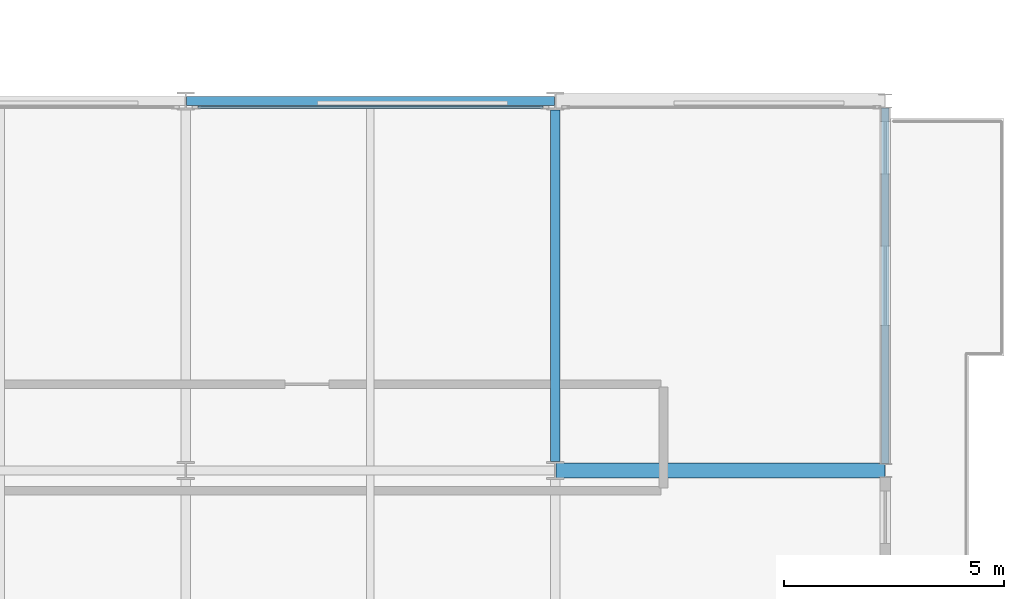
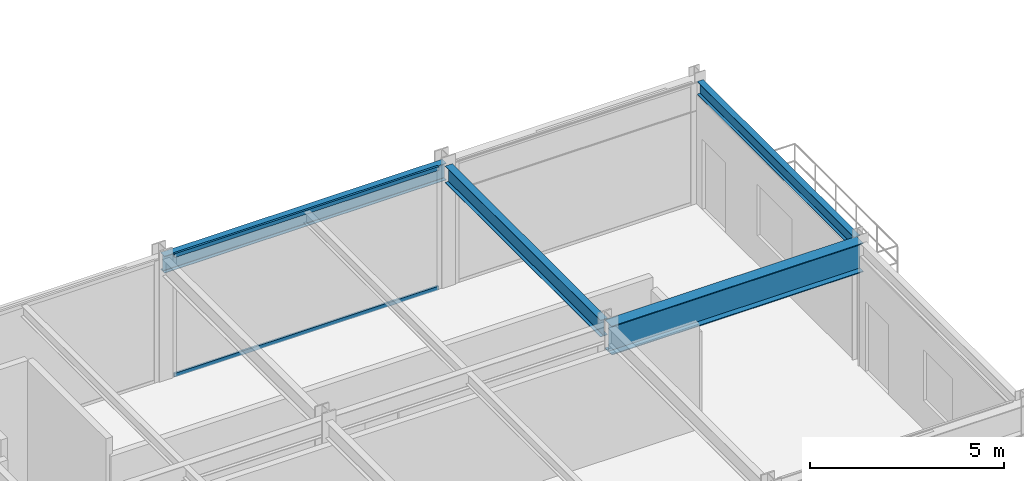
# One storey, part 21 of 38: 4 beams, 2 members, 1 element without a shape of its own.
"""IFC4 building model written with IfcOpenShell, lengths in metres."""

from ifc_helpers import new_model, si_unit, direction, frame, origin, origin_2d, place, context, subcontext, project, spatial, hollow_rectangle, i_section, extrude, material, layer, layer_set, material_profile, profile_set, type_object, element, aggregate, save


model = new_model("IFC4")

# Units and contexts
model_context = context("Model", 3, precision=1e-05, world=origin(), true_north=direction((0.0, 1.0)))
body_context = subcontext(model_context, "Body", "Model", "MODEL_VIEW")
ifc_project = project(units=[si_unit("LENGTHUNIT", "METRE"), si_unit("AREAUNIT", "SQUARE_METRE"), si_unit("VOLUMEUNIT", "CUBIC_METRE"), si_unit("PLANEANGLEUNIT", "RADIAN"), si_unit("MASSUNIT", "GRAM", prefix="KILO")], contexts=[model_context])

# Site, building, storey
site_placement = place(None, origin())
site = spatial("IfcSite", under=ifc_project, at=site_placement, CompositionType="ELEMENT")
building_placement = place(site_placement, origin())
building = spatial("IfcBuilding", under=site, at=building_placement, Name="Nerrivon Quay Data Exchange", CompositionType="ELEMENT")
storey_placement = place(building_placement, frame((0.0, 0.0, 100.800048828125)))
storey = spatial("IfcBuildingStorey", under=building, at=storey_placement, Name="L23", CompositionType="ELEMENT", Elevation=100.800048828125)

# Beams
ifc_material_1 = material(Name="Steel Grade 350", Category="steel")
ifc_material_profile_1 = material_profile(ifc_material_1, i_section(OverallWidth=0.35009765625, OverallDepth=0.909912109375, WebThickness=0.011962890625, FlangeThickness=0.02490234375, at=origin_2d()), Name="900WB218")
ifc_profile_set_1 = profile_set([ifc_material_profile_1], Name="Steel Grade 350")
beam_type_1 = type_object("IfcBeamType", Name="BM-CANT-900WB", PredefinedType="USERDEFINED", material=ifc_profile_set_1)
beam_1_placement = place(storey_placement, frame((50.41259765625, 16.800048828125, 3.369873046875), z_axis=(1.0, 0.0, 0.0), x_axis=(0.0, 1.0, 0.0)))
element("IfcBeam", 1, at=beam_1_placement, inside=storey, type_object=beam_type_1, Name="L23 East Hooked Cantilever Girder Y=16.8", ObjectType="TRANSFER", PredefinedType="USERDEFINED", context=body_context, shape_type="SweptSolid", body=[
    extrude(i_section(OverallWidth=0.35009765625, OverallDepth=0.909912109375, WebThickness=0.011962890625, FlangeThickness=0.02490234375, at=origin_2d()), origin(), (0.0, 0.0, 1.0), 7.4794921875),
])
ifc_material_profile_2 = material_profile(ifc_material_1, i_section(OverallWidth=0.208984375, OverallDepth=0.532958984375, WebThickness=0.01025390625, FlangeThickness=0.015625, FilletRadius=0.013916015625, at=origin_2d()), Name="530UB92.4")
ifc_profile_set_2 = profile_set([ifc_material_profile_2], Name="Steel Grade 350")
beam_type_2 = type_object("IfcBeamType", Name="BM-G3-530UB92", PredefinedType="BEAM", material=ifc_profile_set_2)
beam_2_placement = place(storey_placement, frame((42.012451171875, 25.199951171875, 3.558349609375), z_axis=(1.0, 0.0, 0.0), x_axis=(0.0, 1.0, 0.0)))
element("IfcBeam", 2, at=beam_2_placement, inside=storey, type_object=beam_type_2, Name="L23 EW Girder Y=25.2 (42.0..50.4)", PredefinedType="BEAM", context=body_context, shape_type="SweptSolid", body=[
    extrude(i_section(OverallWidth=0.208984375, OverallDepth=0.532958984375, WebThickness=0.01025390625, FlangeThickness=0.015625, FilletRadius=0.013916015625, at=origin_2d()), origin(), (0.0, 0.0, 1.0), 8.375),
])
ifc_material_profile_3 = material_profile(ifc_material_1, i_section(OverallWidth=0.208984375, OverallDepth=0.528076171875, WebThickness=0.009521484375, FlangeThickness=0.01318359375, FilletRadius=0.013916015625, at=origin_2d()), Name="530UB82.0")
ifc_profile_set_3 = profile_set([ifc_material_profile_3], Name="Steel Grade 350")
beam_type_3 = type_object("IfcBeamType", Name="BM-G4-530UB82", PredefinedType="BEAM", material=ifc_profile_set_3)
beam_3_placement = place(storey_placement, frame((50.39990234375, 17.0, 3.56103515625), z_axis=(0.0, 1.0, 0.0), x_axis=(-1.0, 0.0, 0.0)))
element("IfcBeam", 3, at=beam_3_placement, inside=storey, type_object=beam_type_3, Name="L23 NS Girder X=50.4 (16.8..25.2)", PredefinedType="BEAM", context=body_context, shape_type="SweptSolid", body=[
    extrude(i_section(OverallWidth=0.208984375, OverallDepth=0.528076171875, WebThickness=0.009521484375, FlangeThickness=0.01318359375, FilletRadius=0.013916015625, at=origin_2d()), origin(), (0.0, 0.0, 1.0), 8.0),
])
ifc_material_profile_4 = material_profile(ifc_material_1, i_section(OverallWidth=0.177978515625, OverallDepth=0.403076171875, WebThickness=0.007568359375, FlangeThickness=0.010986328125, FilletRadius=0.011474609375, at=origin_2d()), Name="410UB53.7")
ifc_profile_set_4 = profile_set([ifc_material_profile_4], Name="Steel Grade 350")
beam_type_4 = type_object("IfcBeamType", Name="BM-SP2-410UB54", PredefinedType="SPANDREL", material=ifc_profile_set_4)
beam_4_placement = place(storey_placement, frame((57.89990234375, 16.96337890625, 3.62353515625), z_axis=(0.0, 1.0, 0.0), x_axis=(-1.0, 0.0, 0.0)))
element("IfcBeam", 4, at=beam_4_placement, inside=storey, type_object=beam_type_4, Name="L23 East Hooked Edge Spandrel", PredefinedType="SPANDREL", context=body_context, shape_type="SweptSolid", body=[
    extrude(i_section(OverallWidth=0.177978515625, OverallDepth=0.403076171875, WebThickness=0.007568359375, FlangeThickness=0.010986328125, FilletRadius=0.011474609375, at=origin_2d()), origin(), (0.0, 0.0, 1.0), 8.0732421875),
])

# Curtain wall, members
ifc_material_2 = material(Name="Anodised aluminium 6063-T6", Category="aluminium")
ifc_layer = layer(ifc_material_2, 0.2099609375)
ifc_layer_set = layer_set([ifc_layer], Name="Anodised aluminium 6063-T6")
curtain_wall_type = type_object("IfcCurtainWallType", Name="CW-SYS-02", PredefinedType="NOTDEFINED", material=ifc_layer_set)
curtain_wall_placement = place(storey_placement, origin())
curtain_wall = element("IfcCurtainWall", 5, at=curtain_wall_placement, inside=storey, type_object=curtain_wall_type, Name="L23 Unitised Curtain Wall 34", PredefinedType="NOTDEFINED")
ifc_material_profile_5 = material_profile(ifc_material_2, hollow_rectangle(XDim=0.06005859375, YDim=0.1201171875, WallThickness=0.003173828125, at=origin_2d()), Name="ALU-TRAN-120x60")
ifc_profile_set_5 = profile_set([ifc_material_profile_5], Name="Anodised aluminium 6063-T6")
member_type = type_object("IfcMemberType", Name="CWT-120x60", PredefinedType="USERDEFINED", material=ifc_profile_set_5)
member_1_placement = place(storey_placement, frame((42.27490234375, 25.06005859375, 0.032470703125), z_axis=(1.0, 0.0, 0.0), x_axis=(0.0, 1.0, 0.0)))
member_1 = element("IfcMember", 6, at=member_1_placement, type_object=member_type, Name="CW02 transom 1.1", ObjectType="TRANSOM", PredefinedType="USERDEFINED", context=body_context, shape_type="SweptSolid", body=[
    extrude(hollow_rectangle(XDim=0.06005859375, YDim=0.1201171875, WallThickness=0.003173828125, at=origin_2d()), origin(), (0.0, 0.0, 1.0), 7.85009765625),
])
member_2_placement = place(storey_placement, frame((42.27490234375, 25.06005859375, 3.79248046875), z_axis=(1.0, 0.0, 0.0), x_axis=(0.0, 1.0, 0.0)))
member_2 = element("IfcMember", 7, at=member_2_placement, type_object=member_type, Name="CW02 transom 1.2", ObjectType="TRANSOM", PredefinedType="USERDEFINED", context=body_context, shape_type="SweptSolid", body=[
    extrude(hollow_rectangle(XDim=0.06005859375, YDim=0.1201171875, WallThickness=0.003173828125, at=origin_2d()), origin(), (0.0, 0.0, 1.0), 7.85009765625),
])
aggregate(curtain_wall, [member_1, member_2])

save(model, "model.ifc")
